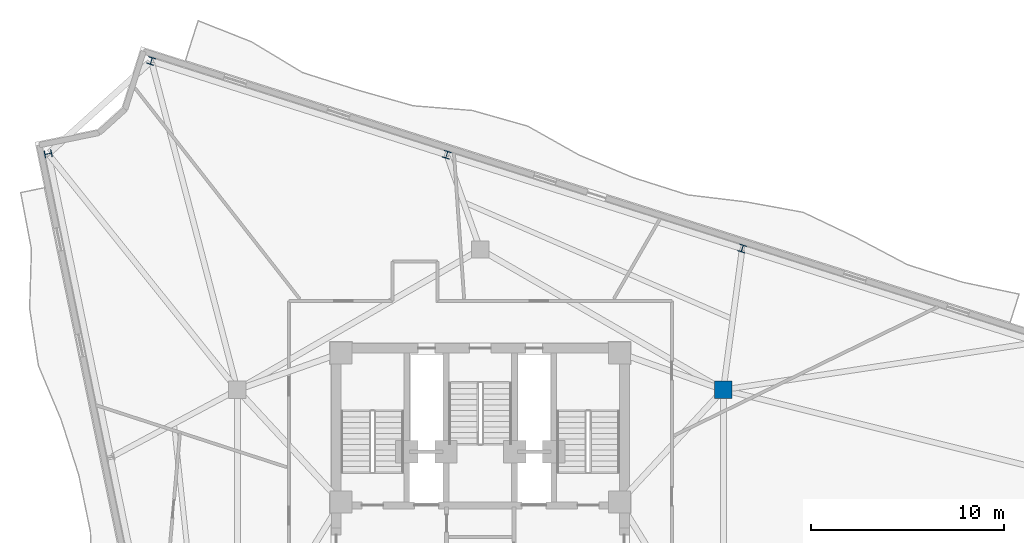
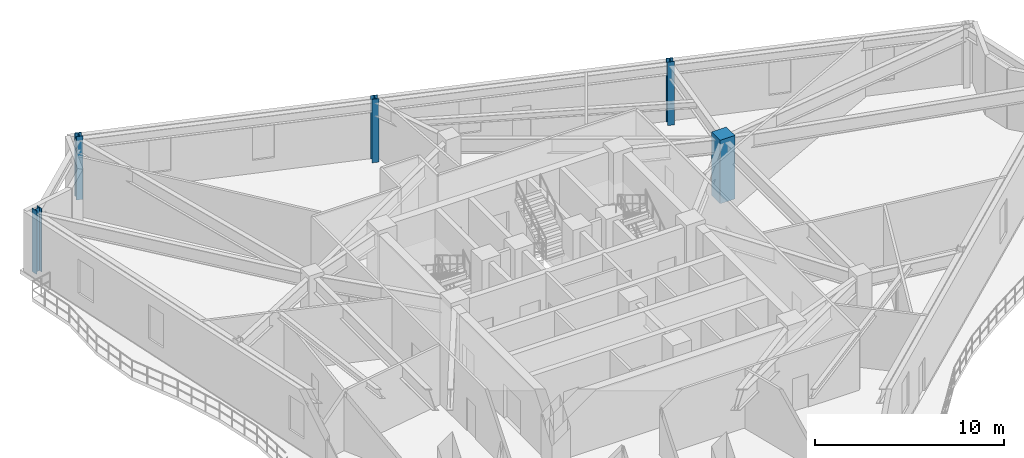
# One storey, part 2 of 12: 5 columns.
"""IFC4 building model written with IfcOpenShell, lengths in metres."""

from ifc_helpers import new_model, si_unit, direction, frame, origin, origin_2d, place, context, subcontext, project, spatial, rectangle, i_section, extrude, material, material_profile, profile_set, type_object, element, save


model = new_model("IFC4")

# Units and contexts
model_context = context("Model", 3, precision=1e-05, world=origin(), true_north=direction((0.0, 1.0)))
body_context = subcontext(model_context, "Body", "Model", "MODEL_VIEW")
ifc_project = project(units=[si_unit("LENGTHUNIT", "METRE"), si_unit("AREAUNIT", "SQUARE_METRE"), si_unit("VOLUMEUNIT", "CUBIC_METRE"), si_unit("PLANEANGLEUNIT", "RADIAN"), si_unit("MASSUNIT", "GRAM", prefix="KILO")], contexts=[model_context])

# Site, building, storey
site_placement = place(None, origin())
site = spatial("IfcSite", under=ifc_project, at=site_placement, CompositionType="ELEMENT")
building_placement = place(site_placement, origin())
building = spatial("IfcBuilding", under=site, at=building_placement, Name="Apsidion Concourse Tower", CompositionType="ELEMENT")
storey_placement = place(building_placement, frame((0.0, 0.0, 232.199951171875)))
storey = spatial("IfcBuildingStorey", under=building, at=storey_placement, Name="L54", CompositionType="ELEMENT", Elevation=232.199951171875)

# Columns
ifc_material_1 = material(Name="Concrete C50/60", Category="concrete")
ifc_material_profile_1 = material_profile(ifc_material_1, rectangle(XDim=0.89990234375, YDim=0.89990234375, at=origin_2d()), Name="RC 900x900")
ifc_profile_set_1 = profile_set([ifc_material_profile_1], Name="Concrete C50/60")
column_type_1 = type_object("IfcColumnType", Name="COL-RC-900", PredefinedType="COLUMN", material=ifc_profile_set_1)
column_placement = place(storey_placement, frame((12.56005859375, 7.25, 0.0), z_axis=(0.0, 0.0, 1.0), x_axis=(1.0, 0.0, 0.0)))
element("IfcColumn", 1, at=column_placement, inside=storey, type_object=column_type_1, Name="L54 Interior Spine Column IC3", PredefinedType="COLUMN", context=body_context, shape_type="SweptSolid", body=[
    extrude(rectangle(XDim=0.89990234375, YDim=0.89990234375, at=origin_2d()), origin(), (0.0, 0.0, 1.0), 4.10009765625),
])
ifc_material_2 = material(Name="Structural steel ASTM A992 Grade 50", Category="steel")
ifc_material_profile_2 = material_profile(ifc_material_2, i_section(OverallWidth=0.373046875, OverallDepth=0.373046875, WebThickness=0.016357421875, FlangeThickness=0.026123046875, at=origin_2d()), Name="W14X132")
ifc_profile_set_2 = profile_set([ifc_material_profile_2], Name="Structural steel ASTM A992 Grade 50")
column_type_2 = type_object("IfcColumnType", Name="COL-W14-132", PredefinedType="COLUMN", material=ifc_profile_set_2)
for number, where, z_axis, x_axis, name in (
    (2, (-22.337158203125, 19.44677734375, 0.0), (0.0, 0.0, 1.0), (-0.201248886216, 0.979540139962, 0.0), "L54 Rotated Perimeter Column PC01"),
    (3, (13.539306640625, 14.552978515625, 0.0), (0.0, 0.0, 1.0), (-0.953137879774, 0.3025362493, 0.0), "L54 Rotated Perimeter Column PC10"),
    (4, (-1.733154296875, 19.400390625, 0.0), (0.0, 0.0, 1.0), (-0.953137879774, 0.3025362493, 0.0), "L54 Rotated Perimeter Column PC11"),
    (5, (-17.00537109375, 24.24755859375, 0.0), (0.0, 0.0, 1.0), (-0.953137879774, 0.3025362493, 0.0), "L54 Rotated Perimeter Column PC12"),
):
    element("IfcColumn", number, at=place(storey_placement, frame(where, z_axis=z_axis, x_axis=x_axis)), inside=storey, type_object=column_type_2, Name=name, PredefinedType="COLUMN", context=body_context, shape_type="SweptSolid", body=[
        extrude(i_section(OverallWidth=0.373046875, OverallDepth=0.373046875, WebThickness=0.016357421875, FlangeThickness=0.026123046875, at=origin_2d()), origin(), (0.0, 0.0, 1.0), 4.10009765625),
    ])

save(model, "model.ifc")
